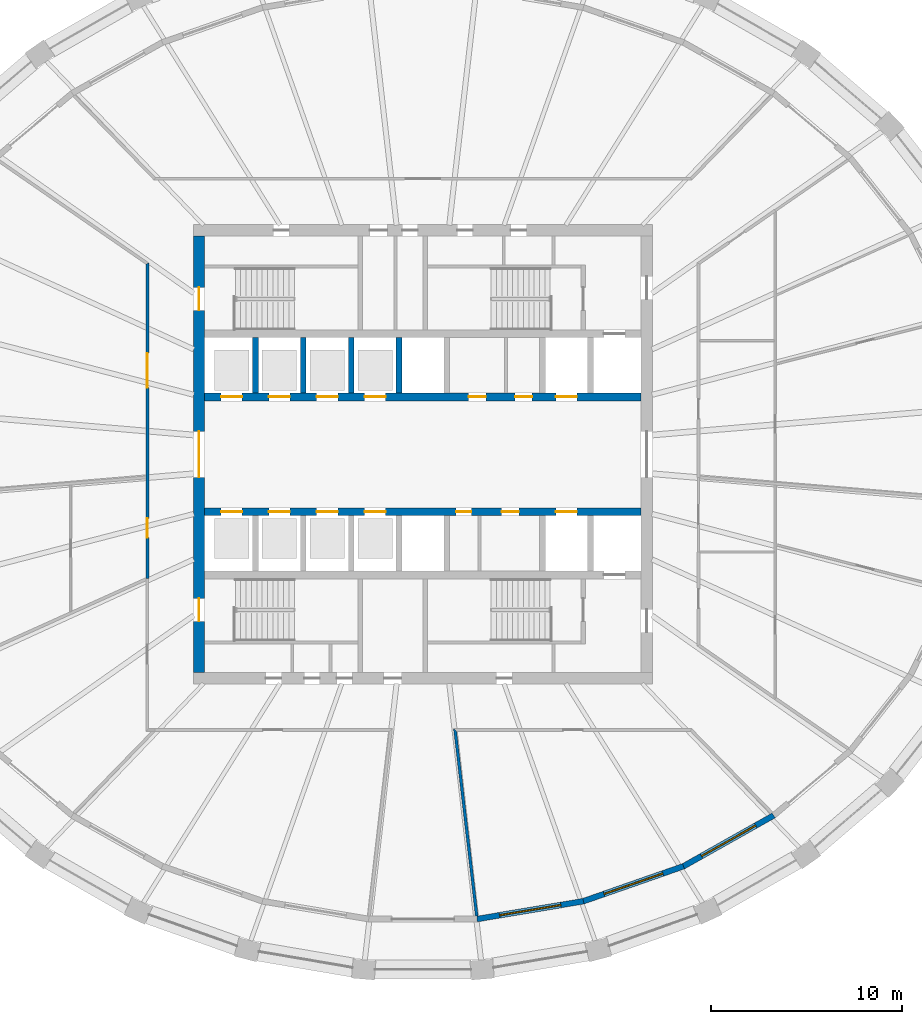
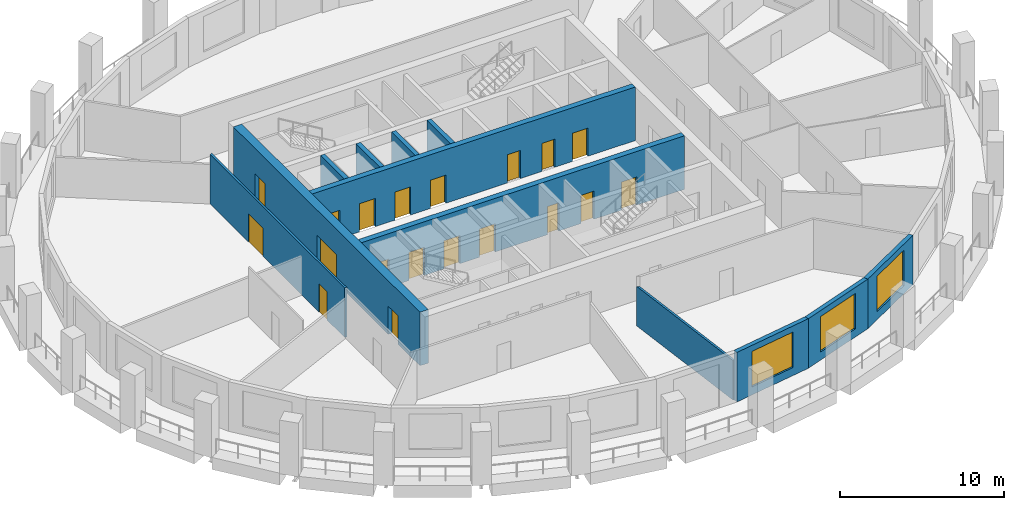
# One storey, part 4 of 11: 19 doors, 12 walls, 3 windows, 22 openings.
"""IFC4 building model written with IfcOpenShell, lengths in metres."""

from ifc_helpers import new_model, si_unit, direction, frame, frame_2d, origin, place, context, subcontext, project, spatial, polyline, rectangle, outline, extrude, material, layer, layer_set, type_object, element, fill, save


model = new_model("IFC4")

# Units and contexts
model_context = context("Model", 3, precision=1e-05, world=origin(), true_north=direction((0.0, 1.0)))
body_context = subcontext(model_context, "Body", "Model", "MODEL_VIEW")
ifc_project = project(units=[si_unit("LENGTHUNIT", "METRE"), si_unit("AREAUNIT", "SQUARE_METRE"), si_unit("VOLUMEUNIT", "CUBIC_METRE"), si_unit("PLANEANGLEUNIT", "RADIAN"), si_unit("MASSUNIT", "GRAM", prefix="KILO")], contexts=[model_context])

# Site, building, storey
site_placement = place(None, origin())
site = spatial("IfcSite", under=ifc_project, at=site_placement, CompositionType="ELEMENT")
building_placement = place(site_placement, origin())
building = spatial("IfcBuilding", under=site, at=building_placement, Name="Halqa Exchange Tower", CompositionType="ELEMENT")
storey_placement = place(building_placement, frame((0.0, 0.0, 230.89990234375)))
storey = spatial("IfcBuildingStorey", under=building, at=storey_placement, Name="L53", CompositionType="ELEMENT", Elevation=230.89990234375)

# Wall, openings, doors
ifc_material_1 = material(Name="Fire-rated gypsum board")
ifc_layer_1 = layer(ifc_material_1, 0.14990234375)
ifc_layer_set_1 = layer_set([ifc_layer_1], Name="Fire-rated gypsum board")
wall_type_1 = type_object("IfcWallType", Name="Fire partition EI 60 150", PredefinedType="PARTITIONING", material=ifc_layer_set_1)
wall_1_placement = place(storey_placement, frame((-14.39990234375, -6.489990234375, 0.0), z_axis=(0.0, 0.0, 1.0), x_axis=(0.0, 1.0, 0.0)))
wall_1 = element("IfcWall", 1, at=wall_1_placement, inside=storey, type_object=wall_type_1, Name="L53-PWL-006", PredefinedType="PARTITIONING", context=body_context, shape_type="SweptSolid", body=[
    extrude(outline(polyline([(16.499267578125, -0.074951171875), (16.499267578125, -0.07470703125), (16.420654296875, 0.074951171875), (14.59619140625, 0.074951171875), (12.771728515625, 0.074951171875), (10.947265625, 0.074951171875), (9.12255859375, 0.074951171875), (7.298095703125, 0.074951171875), (5.4736328125, 0.074951171875), (3.649169921875, 0.074951171875), (1.824462890625, 0.074951171875), (0.0, 0.074951171875), (0.0, -0.074951171875), (1.833251953125, -0.074951171875), (3.66650390625, -0.074951171875), (5.499755859375, -0.074951171875), (7.3330078125, -0.074951171875), (9.166259765625, -0.074951171875), (10.99951171875, -0.074951171875), (12.832763671875, -0.074951171875), (14.666015625, -0.074951171875), (16.499267578125, -0.074951171875)])), origin(), (0.0, 0.0, 1.0), 3.7001953125),
])
opening_1_placement = place(wall_1_placement, frame((9.97509765625, 0.0, 0.0)))
opening_1 = element("IfcOpeningElement", 2, at=opening_1_placement, cuts=wall_1, Name="Opening 16-02", PredefinedType="OPENING", context=body_context, shape_type="SweptSolid", body=[
    extrude(rectangle(XDim=1.800048828125, YDim=2.10009765625, at=frame_2d((0.89990234375, 1.050048828125))), frame((0.0, 0.0869140625, 0.0), z_axis=(0.0, -1.0, 0.0), x_axis=(1.0, 0.0, 0.0)), (0.0, 0.0, 1.0), 0.173828125),
])
opening_2_placement = place(wall_1_placement, frame((2.14501953125, 0.0, 0.0)))
opening_2 = element("IfcOpeningElement", 3, at=opening_2_placement, cuts=wall_1, Name="Opening 16-03", PredefinedType="OPENING", context=body_context, shape_type="SweptSolid", body=[
    extrude(rectangle(XDim=1.0, YDim=2.10009765625, at=frame_2d((0.5, 1.050048828125))), frame((0.0, 0.0869140625, 0.0), z_axis=(0.0, -1.0, 0.0), x_axis=(1.0, 0.0, 0.0)), (0.0, 0.0, 1.0), 0.173828125),
])
ifc_material_2 = material(Name="Steel fire door leaf", Category="steel")
door_type_1 = type_object("IfcDoorType", Name="Fire door FD30S 1000 x 2100", OperationType="SINGLE_SWING_LEFT", PredefinedType="DOOR", material=ifc_material_2)
door_1_placement = place(opening_2_placement, origin())
door_1 = element("IfcDoor", 4, at=door_1_placement, inside=storey, type_object=door_type_1, Name="L53-IDR-003", OperationType="SINGLE_SWING_RIGHT", OverallHeight=2.10009765625, OverallWidth=1.0, PredefinedType="DOOR", context=body_context, shape_type="SweptSolid", body=[
    extrude(rectangle(XDim=1.0, YDim=2.10009765625, at=frame_2d((0.5, 1.050048828125))), frame((0.0, 0.02490234375, 0.0), z_axis=(0.0, -1.0, 0.0), x_axis=(1.0, 0.0, 0.0)), (0.0, 0.0, 1.0), 0.050048828125),
])
fill(opening_2, door_1)
door_type_2 = type_object("IfcDoorType", Name="Fire door FD30S double 1800 x 2100", OperationType="DOUBLE_DOOR_SINGLE_SWING", PredefinedType="DOOR", material=ifc_material_2)
door_2_placement = place(opening_1_placement, origin())
door_2 = element("IfcDoor", 5, at=door_2_placement, inside=storey, type_object=door_type_2, Name="L53-IDR-002", OperationType="DOUBLE_DOOR_SINGLE_SWING", OverallHeight=2.10009765625, OverallWidth=1.800048828125, PredefinedType="DOOR", context=body_context, shape_type="SweptSolid", body=[
    extrude(rectangle(XDim=1.800048828125, YDim=2.10009765625, at=frame_2d((0.89990234375, 1.050048828125))), frame((0.0, 0.02490234375, 0.0), z_axis=(0.0, -1.0, 0.0), x_axis=(1.0, 0.0, 0.0)), (0.0, 0.0, 1.0), 0.050048828125),
])
fill(opening_1, door_2)

# Walls
wall_2_placement = place(storey_placement, frame((1.670166015625, -14.31640625, 0.0), z_axis=(0.0, 0.0, 1.0), x_axis=(0.115875821394, -0.993263708195, 0.0)))
element("IfcWall", 6, at=wall_2_placement, inside=storey, type_object=wall_type_1, Name="L53-PWL-013", PredefinedType="PARTITIONING", context=body_context, shape_type="SweptSolid", body=[
    extrude(outline(polyline([(0.0, -0.074951171875), (1.973876953125, -0.074951171875), (3.947998046875, -0.074951171875), (5.921875, -0.074951171875), (7.895751953125, -0.074951171875), (9.869873046875, -0.074951171875), (9.875, -0.0302734375), (9.875, 0.074951171875), (7.93359375, 0.074951171875), (5.992431640625, 0.074951171875), (4.051025390625, 0.074951171875), (2.109619140625, 0.074951171875), (0.168212890625, 0.074951171875), (0.084228515625, 0.0), (0.0, -0.074951171875), (0.0, -0.074951171875)])), origin(), (0.0, 0.0, 1.0), 2.947021484375),
])
ifc_material_3 = material(Name="Concrete C60/75", Category="concrete")
ifc_layer_2 = layer(ifc_material_3, 0.300048828125)
ifc_layer_set_2 = layer_set([ifc_layer_2], Name="Concrete C60/75")
wall_type_2 = type_object("IfcWallType", Name="RC core wall 300", PredefinedType="SHEAR", material=ifc_layer_set_2)
for number, where, z_axis, x_axis, name in (
    (7, (-8.75, 3.199951171875, 0.0), (0.0, 0.0, 1.0), (0.0, 1.0, 0.0), "Shaft divider N1"),
    (8, (-6.25, 3.199951171875, 0.0), (0.0, 0.0, 1.0), (0.0, 1.0, 0.0), "Shaft divider N2"),
    (9, (-3.75, 3.199951171875, 0.0), (0.0, 0.0, 1.0), (0.0, 1.0, 0.0), "Shaft divider N3"),
    (10, (-1.25, 3.199951171875, 0.0), (0.0, 0.0, 1.0), (0.0, 1.0, 0.0), "Shaft divider N4"),
):
    element("IfcWall", number, at=place(storey_placement, frame(where, z_axis=z_axis, x_axis=x_axis)), inside=storey, type_object=wall_type_2, Name=name, PredefinedType="SHEAR", context=body_context, shape_type="SweptSolid", body=[
        extrude(rectangle(XDim=2.900146484375, YDim=0.300048828125, at=frame_2d((1.4501953125, 0.0))), origin(), (0.0, 0.0, 1.0), 4.0),
    ])

# Wall, openings, doors
ifc_material_4 = material(Name="Concrete C70/85", Category="concrete")
ifc_layer_3 = layer(ifc_material_4, 0.39990234375)
ifc_layer_set_3 = layer_set([ifc_layer_3], Name="Concrete C70/85")
wall_type_3 = type_object("IfcWallType", Name="RC core wall 400 C70/85", PredefinedType="SHEAR", material=ifc_layer_set_3)
wall_3_placement = place(storey_placement, frame((-11.39990234375, 3.0, 0.0), z_axis=(0.0, 0.0, 1.0), x_axis=(1.0, 0.0, 0.0)))
wall_3 = element("IfcWall", 11, at=wall_3_placement, inside=storey, type_object=wall_type_3, Name="Lift row front wall N", PredefinedType="SHEAR", context=body_context, shape_type="SweptSolid", body=[
    extrude(rectangle(XDim=22.7998046875, YDim=0.39990234375, at=frame_2d((11.39990234375, 0.0))), origin(), (0.0, 0.0, 1.0), 4.0),
])
opening_3_placement = place(wall_3_placement, frame((0.85009765625, 0.0, 0.0)))
opening_3 = element("IfcOpeningElement", 12, at=opening_3_placement, cuts=wall_3, Name="Opening LD-HR1-T16", PredefinedType="OPENING", context=body_context, shape_type="SweptSolid", body=[
    extrude(rectangle(XDim=1.10009765625, YDim=2.10009765625, at=frame_2d((0.550048828125, 1.050048828125))), frame((0.0, 0.2119140625, 0.0), z_axis=(0.0, -1.0, 0.0), x_axis=(1.0, 0.0, 0.0)), (0.0, 0.0, 1.0), 0.423828125),
])
opening_4_placement = place(wall_3_placement, frame((3.35009765625, 0.0, 0.0)))
opening_4 = element("IfcOpeningElement", 13, at=opening_4_placement, cuts=wall_3, Name="Opening LD-HR2-T16", PredefinedType="OPENING", context=body_context, shape_type="SweptSolid", body=[
    extrude(rectangle(XDim=1.10009765625, YDim=2.10009765625, at=frame_2d((0.550048828125, 1.050048828125))), frame((0.0, 0.2119140625, 0.0), z_axis=(0.0, -1.0, 0.0), x_axis=(1.0, 0.0, 0.0)), (0.0, 0.0, 1.0), 0.423828125),
])
opening_5_placement = place(wall_3_placement, frame((5.85009765625, 0.0, 0.0)))
opening_5 = element("IfcOpeningElement", 14, at=opening_5_placement, cuts=wall_3, Name="Opening LD-MR1-T16", PredefinedType="OPENING", context=body_context, shape_type="SweptSolid", body=[
    extrude(rectangle(XDim=1.10009765625, YDim=2.10009765625, at=frame_2d((0.550048828125, 1.050048828125))), frame((0.0, 0.2119140625, 0.0), z_axis=(0.0, -1.0, 0.0), x_axis=(1.0, 0.0, 0.0)), (0.0, 0.0, 1.0), 0.423828125),
])
opening_6_placement = place(wall_3_placement, frame((8.35009765625, 0.0, 0.0)))
opening_6 = element("IfcOpeningElement", 15, at=opening_6_placement, cuts=wall_3, Name="Opening LD-MR2-T16", PredefinedType="OPENING", context=body_context, shape_type="SweptSolid", body=[
    extrude(rectangle(XDim=1.10009765625, YDim=2.10009765625, at=frame_2d((0.550048828125, 1.050048828125))), frame((0.0, 0.2119140625, 0.0), z_axis=(0.0, -1.0, 0.0), x_axis=(1.0, 0.0, 0.0)), (0.0, 0.0, 1.0), 0.423828125),
])
opening_7_placement = place(wall_3_placement, frame((18.35009765625, 0.0, 0.0)))
opening_7 = element("IfcOpeningElement", 16, at=opening_7_placement, cuts=wall_3, Name="Opening LD-SV1-T16", PredefinedType="OPENING", context=body_context, shape_type="SweptSolid", body=[
    extrude(rectangle(XDim=1.10009765625, YDim=2.10009765625, at=frame_2d((0.550048828125, 1.050048828125))), frame((0.0, 0.2119140625, 0.0), z_axis=(0.0, -1.0, 0.0), x_axis=(1.0, 0.0, 0.0)), (0.0, 0.0, 1.0), 0.423828125),
])
opening_8_placement = place(wall_3_placement, frame((13.78759765625, 0.0, 0.0)))
opening_8 = element("IfcOpeningElement", 17, at=opening_8_placement, cuts=wall_3, Name="Opening T16-C31", PredefinedType="OPENING", context=body_context, shape_type="SweptSolid", body=[
    extrude(rectangle(XDim=0.89990234375, YDim=2.10009765625, at=frame_2d((0.449951171875, 1.050048828125))), frame((0.0, 0.2119140625, 0.0), z_axis=(0.0, -1.0, 0.0), x_axis=(1.0, 0.0, 0.0)), (0.0, 0.0, 1.0), 0.423828125),
])
opening_9_placement = place(wall_3_placement, frame((16.21240234375, 0.0, 0.0)))
opening_9 = element("IfcOpeningElement", 18, at=opening_9_placement, cuts=wall_3, Name="Opening T16-C32", PredefinedType="OPENING", context=body_context, shape_type="SweptSolid", body=[
    extrude(rectangle(XDim=0.89990234375, YDim=2.10009765625, at=frame_2d((0.449951171875, 1.050048828125))), frame((0.0, 0.2119140625, 0.0), z_axis=(0.0, -1.0, 0.0), x_axis=(1.0, 0.0, 0.0)), (0.0, 0.0, 1.0), 0.423828125),
])
ifc_material_5 = material(Name="Timber fire door leaf", Category="wood")
door_type_3 = type_object("IfcDoorType", Name="Core room door FD30 900 x 2100", OperationType="SINGLE_SWING_LEFT", PredefinedType="DOOR", material=ifc_material_5)
door_3_placement = place(opening_8_placement, origin())
door_3 = element("IfcDoor", 19, at=door_3_placement, inside=storey, type_object=door_type_3, Name="Core room door", OperationType="SINGLE_SWING_RIGHT", OverallHeight=2.10009765625, OverallWidth=0.89990234375, PredefinedType="DOOR", context=body_context, shape_type="SweptSolid", body=[
    extrude(rectangle(XDim=0.89990234375, YDim=2.10009765625, at=frame_2d((0.449951171875, 1.050048828125))), frame((0.0, 0.02490234375, 0.0), z_axis=(0.0, -1.0, 0.0), x_axis=(1.0, 0.0, 0.0)), (0.0, 0.0, 1.0), 0.050048828125),
])
fill(opening_8, door_3)
door_4_placement = place(opening_9_placement, origin())
door_4 = element("IfcDoor", 20, at=door_4_placement, inside=storey, type_object=door_type_3, Name="Core room door", OperationType="SINGLE_SWING_RIGHT", OverallHeight=2.10009765625, OverallWidth=0.89990234375, PredefinedType="DOOR", context=body_context, shape_type="SweptSolid", body=[
    extrude(rectangle(XDim=0.89990234375, YDim=2.10009765625, at=frame_2d((0.449951171875, 1.050048828125))), frame((0.0, 0.02490234375, 0.0), z_axis=(0.0, -1.0, 0.0), x_axis=(1.0, 0.0, 0.0)), (0.0, 0.0, 1.0), 0.050048828125),
])
fill(opening_9, door_4)
ifc_material_6 = material(Name="Stainless steel", Category="steel")
door_type_4 = type_object("IfcDoorType", Name="Lift landing door 1100 x 2100", OperationType="SLIDING_TO_LEFT", PredefinedType="DOOR", material=ifc_material_6)
door_5_placement = place(opening_3_placement, origin())
door_5 = element("IfcDoor", 21, at=door_5_placement, inside=storey, type_object=door_type_4, Name="Lift landing door HR1", OperationType="SLIDING_TO_LEFT", OverallHeight=2.10009765625, OverallWidth=1.10009765625, PredefinedType="DOOR", context=body_context, shape_type="SweptSolid", body=[
    extrude(rectangle(XDim=1.10009765625, YDim=2.10009765625, at=frame_2d((0.550048828125, 1.050048828125))), frame((0.0, 0.02490234375, 0.0), z_axis=(0.0, -1.0, 0.0), x_axis=(1.0, 0.0, 0.0)), (0.0, 0.0, 1.0), 0.050048828125),
])
fill(opening_3, door_5)
door_6_placement = place(opening_4_placement, origin())
door_6 = element("IfcDoor", 22, at=door_6_placement, inside=storey, type_object=door_type_4, Name="Lift landing door HR2", OperationType="SLIDING_TO_LEFT", OverallHeight=2.10009765625, OverallWidth=1.10009765625, PredefinedType="DOOR", context=body_context, shape_type="SweptSolid", body=[
    extrude(rectangle(XDim=1.10009765625, YDim=2.10009765625, at=frame_2d((0.550048828125, 1.050048828125))), frame((0.0, 0.02490234375, 0.0), z_axis=(0.0, -1.0, 0.0), x_axis=(1.0, 0.0, 0.0)), (0.0, 0.0, 1.0), 0.050048828125),
])
fill(opening_4, door_6)
door_7_placement = place(opening_5_placement, origin())
door_7 = element("IfcDoor", 23, at=door_7_placement, inside=storey, type_object=door_type_4, Name="Lift landing door MR1", OperationType="SLIDING_TO_LEFT", OverallHeight=2.10009765625, OverallWidth=1.10009765625, PredefinedType="DOOR", context=body_context, shape_type="SweptSolid", body=[
    extrude(rectangle(XDim=1.10009765625, YDim=2.10009765625, at=frame_2d((0.550048828125, 1.050048828125))), frame((0.0, 0.02490234375, 0.0), z_axis=(0.0, -1.0, 0.0), x_axis=(1.0, 0.0, 0.0)), (0.0, 0.0, 1.0), 0.050048828125),
])
fill(opening_5, door_7)
door_8_placement = place(opening_6_placement, origin())
door_8 = element("IfcDoor", 24, at=door_8_placement, inside=storey, type_object=door_type_4, Name="Lift landing door MR2", OperationType="SLIDING_TO_LEFT", OverallHeight=2.10009765625, OverallWidth=1.10009765625, PredefinedType="DOOR", context=body_context, shape_type="SweptSolid", body=[
    extrude(rectangle(XDim=1.10009765625, YDim=2.10009765625, at=frame_2d((0.550048828125, 1.050048828125))), frame((0.0, 0.02490234375, 0.0), z_axis=(0.0, -1.0, 0.0), x_axis=(1.0, 0.0, 0.0)), (0.0, 0.0, 1.0), 0.050048828125),
])
fill(opening_6, door_8)
door_9_placement = place(opening_7_placement, origin())
door_9 = element("IfcDoor", 25, at=door_9_placement, inside=storey, type_object=door_type_4, Name="Lift landing door SV1", OperationType="SLIDING_TO_LEFT", OverallHeight=2.10009765625, OverallWidth=1.10009765625, PredefinedType="DOOR", context=body_context, shape_type="SweptSolid", body=[
    extrude(rectangle(XDim=1.10009765625, YDim=2.10009765625, at=frame_2d((0.550048828125, 1.050048828125))), frame((0.0, 0.02490234375, 0.0), z_axis=(0.0, -1.0, 0.0), x_axis=(1.0, 0.0, 0.0)), (0.0, 0.0, 1.0), 0.050048828125),
])
fill(opening_7, door_9)

wall_4_placement = place(storey_placement, frame((-11.39990234375, -3.0, 0.0), z_axis=(0.0, 0.0, 1.0), x_axis=(1.0, 0.0, 0.0)))
wall_4 = element("IfcWall", 26, at=wall_4_placement, inside=storey, type_object=wall_type_3, Name="Lift row front wall S", PredefinedType="SHEAR", context=body_context, shape_type="SweptSolid", body=[
    extrude(rectangle(XDim=22.7998046875, YDim=0.39990234375, at=frame_2d((11.39990234375, 0.0))), origin(), (0.0, 0.0, 1.0), 4.0),
])
opening_10_placement = place(wall_4_placement, frame((0.85009765625, 0.0, 0.0)))
opening_10 = element("IfcOpeningElement", 27, at=opening_10_placement, cuts=wall_4, Name="Opening LD-HR3-T16", PredefinedType="OPENING", context=body_context, shape_type="SweptSolid", body=[
    extrude(rectangle(XDim=1.10009765625, YDim=2.10009765625, at=frame_2d((0.550048828125, 1.050048828125))), frame((0.0, 0.2119140625, 0.0), z_axis=(0.0, -1.0, 0.0), x_axis=(1.0, 0.0, 0.0)), (0.0, 0.0, 1.0), 0.423828125),
])
opening_11_placement = place(wall_4_placement, frame((3.35009765625, 0.0, 0.0)))
opening_11 = element("IfcOpeningElement", 28, at=opening_11_placement, cuts=wall_4, Name="Opening LD-HR4-T16", PredefinedType="OPENING", context=body_context, shape_type="SweptSolid", body=[
    extrude(rectangle(XDim=1.10009765625, YDim=2.10009765625, at=frame_2d((0.550048828125, 1.050048828125))), frame((0.0, 0.2119140625, 0.0), z_axis=(0.0, -1.0, 0.0), x_axis=(1.0, 0.0, 0.0)), (0.0, 0.0, 1.0), 0.423828125),
])
opening_12_placement = place(wall_4_placement, frame((5.85009765625, 0.0, 0.0)))
opening_12 = element("IfcOpeningElement", 29, at=opening_12_placement, cuts=wall_4, Name="Opening LD-MR3-T16", PredefinedType="OPENING", context=body_context, shape_type="SweptSolid", body=[
    extrude(rectangle(XDim=1.10009765625, YDim=2.10009765625, at=frame_2d((0.550048828125, 1.050048828125))), frame((0.0, 0.2119140625, 0.0), z_axis=(0.0, -1.0, 0.0), x_axis=(1.0, 0.0, 0.0)), (0.0, 0.0, 1.0), 0.423828125),
])
opening_13_placement = place(wall_4_placement, frame((8.35009765625, 0.0, 0.0)))
opening_13 = element("IfcOpeningElement", 30, at=opening_13_placement, cuts=wall_4, Name="Opening LD-MR4-T16", PredefinedType="OPENING", context=body_context, shape_type="SweptSolid", body=[
    extrude(rectangle(XDim=1.10009765625, YDim=2.10009765625, at=frame_2d((0.550048828125, 1.050048828125))), frame((0.0, 0.2119140625, 0.0), z_axis=(0.0, -1.0, 0.0), x_axis=(1.0, 0.0, 0.0)), (0.0, 0.0, 1.0), 0.423828125),
])
opening_14_placement = place(wall_4_placement, frame((18.35009765625, 0.0, 0.0)))
opening_14 = element("IfcOpeningElement", 31, at=opening_14_placement, cuts=wall_4, Name="Opening LD-SV2-T16", PredefinedType="OPENING", context=body_context, shape_type="SweptSolid", body=[
    extrude(rectangle(XDim=1.10009765625, YDim=2.10009765625, at=frame_2d((0.550048828125, 1.050048828125))), frame((0.0, 0.2119140625, 0.0), z_axis=(0.0, -1.0, 0.0), x_axis=(1.0, 0.0, 0.0)), (0.0, 0.0, 1.0), 0.423828125),
])
opening_15_placement = place(wall_4_placement, frame((13.137451171875, 0.0, 0.0)))
opening_15 = element("IfcOpeningElement", 32, at=opening_15_placement, cuts=wall_4, Name="Opening T16-C33", PredefinedType="OPENING", context=body_context, shape_type="SweptSolid", body=[
    extrude(rectangle(XDim=0.800048828125, YDim=2.10009765625, at=frame_2d((0.39990234375, 1.050048828125))), frame((0.0, 0.2119140625, 0.0), z_axis=(0.0, -1.0, 0.0), x_axis=(1.0, 0.0, 0.0)), (0.0, 0.0, 1.0), 0.423828125),
])
opening_16_placement = place(wall_4_placement, frame((15.512451171875, 0.0, 0.0)))
opening_16 = element("IfcOpeningElement", 33, at=opening_16_placement, cuts=wall_4, Name="Opening T16-C34", PredefinedType="OPENING", context=body_context, shape_type="SweptSolid", body=[
    extrude(rectangle(XDim=0.89990234375, YDim=2.10009765625, at=frame_2d((0.449951171875, 1.050048828125))), frame((0.0, 0.2119140625, 0.0), z_axis=(0.0, -1.0, 0.0), x_axis=(1.0, 0.0, 0.0)), (0.0, 0.0, 1.0), 0.423828125),
])
door_10_placement = place(opening_16_placement, frame((0.89990234375, 0.0, 0.0), z_axis=(0.0, 0.0, 1.0), x_axis=(-1.0, 0.0, 0.0)))
door_10 = element("IfcDoor", 34, at=door_10_placement, inside=storey, type_object=door_type_3, Name="Core room door", OperationType="SINGLE_SWING_RIGHT", OverallHeight=2.10009765625, OverallWidth=0.89990234375, PredefinedType="DOOR", context=body_context, shape_type="SweptSolid", body=[
    extrude(rectangle(XDim=0.89990234375, YDim=2.10009765625, at=frame_2d((0.449951171875, 1.050048828125))), frame((0.0, 0.02490234375, 0.0), z_axis=(0.0, -1.0, 0.0), x_axis=(1.0, 0.0, 0.0)), (0.0, 0.0, 1.0), 0.050048828125),
])
fill(opening_16, door_10)
door_11_placement = place(opening_10_placement, origin())
door_11 = element("IfcDoor", 35, at=door_11_placement, inside=storey, type_object=door_type_4, Name="Lift landing door HR3", OperationType="SLIDING_TO_LEFT", OverallHeight=2.10009765625, OverallWidth=1.10009765625, PredefinedType="DOOR", context=body_context, shape_type="SweptSolid", body=[
    extrude(rectangle(XDim=1.10009765625, YDim=2.10009765625, at=frame_2d((0.550048828125, 1.050048828125))), frame((0.0, 0.02490234375, 0.0), z_axis=(0.0, -1.0, 0.0), x_axis=(1.0, 0.0, 0.0)), (0.0, 0.0, 1.0), 0.050048828125),
])
fill(opening_10, door_11)
door_12_placement = place(opening_11_placement, origin())
door_12 = element("IfcDoor", 36, at=door_12_placement, inside=storey, type_object=door_type_4, Name="Lift landing door HR4", OperationType="SLIDING_TO_LEFT", OverallHeight=2.10009765625, OverallWidth=1.10009765625, PredefinedType="DOOR", context=body_context, shape_type="SweptSolid", body=[
    extrude(rectangle(XDim=1.10009765625, YDim=2.10009765625, at=frame_2d((0.550048828125, 1.050048828125))), frame((0.0, 0.02490234375, 0.0), z_axis=(0.0, -1.0, 0.0), x_axis=(1.0, 0.0, 0.0)), (0.0, 0.0, 1.0), 0.050048828125),
])
fill(opening_11, door_12)
door_13_placement = place(opening_12_placement, origin())
door_13 = element("IfcDoor", 37, at=door_13_placement, inside=storey, type_object=door_type_4, Name="Lift landing door MR3", OperationType="SLIDING_TO_LEFT", OverallHeight=2.10009765625, OverallWidth=1.10009765625, PredefinedType="DOOR", context=body_context, shape_type="SweptSolid", body=[
    extrude(rectangle(XDim=1.10009765625, YDim=2.10009765625, at=frame_2d((0.550048828125, 1.050048828125))), frame((0.0, 0.02490234375, 0.0), z_axis=(0.0, -1.0, 0.0), x_axis=(1.0, 0.0, 0.0)), (0.0, 0.0, 1.0), 0.050048828125),
])
fill(opening_12, door_13)
door_14_placement = place(opening_13_placement, origin())
door_14 = element("IfcDoor", 38, at=door_14_placement, inside=storey, type_object=door_type_4, Name="Lift landing door MR4", OperationType="SLIDING_TO_LEFT", OverallHeight=2.10009765625, OverallWidth=1.10009765625, PredefinedType="DOOR", context=body_context, shape_type="SweptSolid", body=[
    extrude(rectangle(XDim=1.10009765625, YDim=2.10009765625, at=frame_2d((0.550048828125, 1.050048828125))), frame((0.0, 0.02490234375, 0.0), z_axis=(0.0, -1.0, 0.0), x_axis=(1.0, 0.0, 0.0)), (0.0, 0.0, 1.0), 0.050048828125),
])
fill(opening_13, door_14)
door_15_placement = place(opening_14_placement, origin())
door_15 = element("IfcDoor", 39, at=door_15_placement, inside=storey, type_object=door_type_4, Name="Lift landing door SV2", OperationType="SLIDING_TO_LEFT", OverallHeight=2.10009765625, OverallWidth=1.10009765625, PredefinedType="DOOR", context=body_context, shape_type="SweptSolid", body=[
    extrude(rectangle(XDim=1.10009765625, YDim=2.10009765625, at=frame_2d((0.550048828125, 1.050048828125))), frame((0.0, 0.02490234375, 0.0), z_axis=(0.0, -1.0, 0.0), x_axis=(1.0, 0.0, 0.0)), (0.0, 0.0, 1.0), 0.050048828125),
])
fill(opening_14, door_15)
door_type_5 = type_object("IfcDoorType", Name="Riser door FD60 800 x 2100", OperationType="SINGLE_SWING_LEFT", PredefinedType="DOOR", material=ifc_material_2)
door_16_placement = place(opening_15_placement, frame((0.800048828125, 0.0, 0.0), z_axis=(0.0, 0.0, 1.0), x_axis=(-1.0, 0.0, 0.0)))
door_16 = element("IfcDoor", 40, at=door_16_placement, inside=storey, type_object=door_type_5, Name="Core room door", OperationType="SINGLE_SWING_LEFT", OverallHeight=2.10009765625, OverallWidth=0.800048828125, PredefinedType="DOOR", context=body_context, shape_type="SweptSolid", body=[
    extrude(rectangle(XDim=0.800048828125, YDim=2.10009765625, at=frame_2d((0.39990234375, 1.050048828125))), frame((0.0, 0.02490234375, 0.0), z_axis=(0.0, -1.0, 0.0), x_axis=(1.0, 0.0, 0.0)), (0.0, 0.0, 1.0), 0.050048828125),
])
fill(opening_15, door_16)

ifc_layer_4 = layer(ifc_material_4, 0.60009765625)
ifc_layer_set_4 = layer_set([ifc_layer_4], Name="Concrete C70/85")
wall_type_4 = type_object("IfcWallType", Name="RC core wall 600 C70/85", PredefinedType="SHEAR", material=ifc_layer_set_4)
wall_5_placement = place(storey_placement, frame((-11.699951171875, -11.39990234375, 0.0), z_axis=(0.0, 0.0, 1.0), x_axis=(0.0, 1.0, 0.0)))
wall_5 = element("IfcWall", 41, at=wall_5_placement, inside=storey, type_object=wall_type_4, Name="Core wall west", PredefinedType="SHEAR", context=body_context, shape_type="SweptSolid", body=[
    extrude(rectangle(XDim=22.7998046875, YDim=0.60009765625, at=frame_2d((11.39990234375, 0.0))), origin(), (0.0, 0.0, 1.0), 4.0),
])
opening_17_placement = place(wall_5_placement, frame((10.199951171875, 0.0, 0.0)))
opening_17 = element("IfcOpeningElement", 42, at=opening_17_placement, cuts=wall_5, Name="Opening T16-C13", PredefinedType="OPENING", context=body_context, shape_type="SweptSolid", body=[
    extrude(rectangle(XDim=2.39990234375, YDim=2.10009765625, at=frame_2d((1.199951171875, 1.050048828125))), frame((0.0, 0.31201171875, 0.0), z_axis=(0.0, -1.0, 0.0), x_axis=(1.0, 0.0, 0.0)), (0.0, 0.0, 1.0), 0.6240234375),
])
opening_18_placement = place(wall_5_placement, frame((18.925048828125, 0.0, 0.0)))
opening_18 = element("IfcOpeningElement", 43, at=opening_18_placement, cuts=wall_5, Name="Opening T16-C15", PredefinedType="OPENING", context=body_context, shape_type="SweptSolid", body=[
    extrude(rectangle(XDim=1.199951171875, YDim=2.10009765625, at=frame_2d((0.60009765625, 1.050048828125))), frame((0.0, 0.31201171875, 0.0), z_axis=(0.0, -1.0, 0.0), x_axis=(1.0, 0.0, 0.0)), (0.0, 0.0, 1.0), 0.6240234375),
])
opening_19_placement = place(wall_5_placement, frame((2.675048828125, 0.0, 0.0)))
opening_19 = element("IfcOpeningElement", 44, at=opening_19_placement, cuts=wall_5, Name="Opening T16-C17", PredefinedType="OPENING", context=body_context, shape_type="SweptSolid", body=[
    extrude(rectangle(XDim=1.199951171875, YDim=2.10009765625, at=frame_2d((0.60009765625, 1.050048828125))), frame((0.0, 0.31201171875, 0.0), z_axis=(0.0, -1.0, 0.0), x_axis=(1.0, 0.0, 0.0)), (0.0, 0.0, 1.0), 0.6240234375),
])
door_type_6 = type_object("IfcDoorType", Name="Lobby double door FD60 2400 x 2100", OperationType="DOUBLE_DOOR_SINGLE_SWING", PredefinedType="DOOR", material=ifc_material_2)
door_17_placement = place(opening_17_placement, frame((2.39990234375, 0.0, 0.0), z_axis=(0.0, 0.0, 1.0), x_axis=(-1.0, 0.0, 0.0)))
door_17 = element("IfcDoor", 45, at=door_17_placement, inside=storey, type_object=door_type_6, Name="Lift lobby double door", OperationType="DOUBLE_DOOR_SINGLE_SWING", OverallHeight=2.10009765625, OverallWidth=2.39990234375, PredefinedType="DOOR", context=body_context, shape_type="SweptSolid", body=[
    extrude(rectangle(XDim=2.39990234375, YDim=2.10009765625, at=frame_2d((1.199951171875, 1.050048828125))), frame((0.0, 0.02490234375, 0.0), z_axis=(0.0, -1.0, 0.0), x_axis=(1.0, 0.0, 0.0)), (0.0, 0.0, 1.0), 0.050048828125),
])
fill(opening_17, door_17)
door_type_7 = type_object("IfcDoorType", Name="Stair door FD90 1200 x 2100", OperationType="SINGLE_SWING_LEFT", PredefinedType="DOOR", material=ifc_material_2)
door_18_placement = place(opening_18_placement, frame((1.199951171875, 0.0, 0.0), z_axis=(0.0, 0.0, 1.0), x_axis=(-1.0, 0.0, 0.0)))
door_18 = element("IfcDoor", 46, at=door_18_placement, inside=storey, type_object=door_type_7, Name="Stair door ST1", OperationType="SINGLE_SWING_RIGHT", OverallHeight=2.10009765625, OverallWidth=1.199951171875, PredefinedType="DOOR", context=body_context, shape_type="SweptSolid", body=[
    extrude(rectangle(XDim=1.199951171875, YDim=2.10009765625, at=frame_2d((0.60009765625, 1.050048828125))), frame((0.0, 0.02490234375, 0.0), z_axis=(0.0, -1.0, 0.0), x_axis=(1.0, 0.0, 0.0)), (0.0, 0.0, 1.0), 0.050048828125),
])
fill(opening_18, door_18)
door_19_placement = place(opening_19_placement, frame((1.199951171875, 0.0, 0.0), z_axis=(0.0, 0.0, 1.0), x_axis=(-1.0, 0.0, 0.0)))
door_19 = element("IfcDoor", 47, at=door_19_placement, inside=storey, type_object=door_type_7, Name="Stair door ST3", OperationType="SINGLE_SWING_RIGHT", OverallHeight=2.10009765625, OverallWidth=1.199951171875, PredefinedType="DOOR", context=body_context, shape_type="SweptSolid", body=[
    extrude(rectangle(XDim=1.199951171875, YDim=2.10009765625, at=frame_2d((0.60009765625, 1.050048828125))), frame((0.0, 0.02490234375, 0.0), z_axis=(0.0, -1.0, 0.0), x_axis=(1.0, 0.0, 0.0)), (0.0, 0.0, 1.0), 0.050048828125),
])
fill(opening_19, door_19)

# Wall, opening, window
ifc_material_7 = material(Name="Limestone cladding", Category="masonry")
ifc_layer_5 = layer(ifc_material_7, 0.0400390625)
ifc_material_8 = material(Name="Ventilated cavity")
ifc_layer_6 = layer(ifc_material_8, 0.030029296875, ventilated=True)
ifc_material_9 = material(Name="Mineral wool insulation")
ifc_layer_7 = layer(ifc_material_9, 0.10009765625)
ifc_material_10 = material(Name="Concrete C30/37", Category="concrete")
ifc_layer_8 = layer(ifc_material_10, 0.10009765625)
ifc_material_11 = material(Name="Internal plaster")
ifc_layer_9 = layer(ifc_material_11, 0.030029296875)
ifc_layer_set_5 = layer_set([ifc_layer_5, ifc_layer_6, ifc_layer_7, ifc_layer_8, ifc_layer_9], Name="Stone-faced insulated wall 300")
wall_type_5 = type_object("IfcWallType", Name="Stone-faced insulated wall 300", PredefinedType="STANDARD", material=ifc_layer_set_5)
wall_6_placement = place(storey_placement, frame((2.830810546875, -24.2783203125, 0.0), z_axis=(0.0, 0.0, 1.0), x_axis=(0.986223472554, 0.165418445715, 0.0)))
wall_6 = element("IfcWall", 48, at=wall_6_placement, inside=storey, type_object=wall_type_5, Name="Glass-line wall 25", PredefinedType="STANDARD", context=body_context, shape_type="SweptSolid", body=[
    extrude(outline(polyline([(-0.012451171875, -0.14990234375), (5.643310546875, -0.14990234375), (5.617919921875, 0.14990234375), (0.012451171875, 0.14990234375), (-0.012451171875, -0.14990234375)])), origin(), (0.0, 0.0, 1.0), 3.7001953125),
])
opening_20_placement = place(wall_6_placement, frame((1.190185546875, 0.0, 0.60009765625)))
opening_20 = element("IfcOpeningElement", 49, at=opening_20_placement, cuts=wall_6, Name="Opening W-F3-25", PredefinedType="OPENING", context=body_context, shape_type="SweptSolid", body=[
    extrude(rectangle(XDim=3.25, YDim=2.64990234375, at=frame_2d((1.625, 1.324951171875))), frame((0.0, 0.162109375, 0.0), z_axis=(0.0, -1.0, 0.0), x_axis=(1.0, 0.0, 0.0)), (0.0, 0.0, 1.0), 0.323974609375),
])
ifc_material_12 = material(Name="Clear low-emissivity glass in aluminium frame", Category="aluminium")
window_type = type_object("IfcWindowType", Name="Fixed clear glazed window 3250 x 2650", PartitioningType="TRIPLE_PANEL_VERTICAL", PredefinedType="WINDOW", material=ifc_material_12)
window_1_placement = place(opening_20_placement, origin())
window_1 = element("IfcWindow", 50, at=window_1_placement, inside=storey, type_object=window_type, Name="Window 3", OverallHeight=2.64990234375, OverallWidth=3.25, PartitioningType="TRIPLE_PANEL_VERTICAL", PredefinedType="WINDOW", context=body_context, shape_type="SweptSolid", body=[
    extrude(rectangle(XDim=3.25, YDim=2.64990234375, at=frame_2d((1.625, 1.324951171875))), frame((0.0, 0.030029296875, 0.0), z_axis=(0.0, -1.0, 0.0), x_axis=(1.0, 0.0, 0.0)), (0.0, 0.0, 1.0), 0.06005859375),
])
fill(opening_20, window_1)

wall_7_placement = place(storey_placement, frame((8.3837890625, -23.346923828125, 0.0), z_axis=(0.0, 0.0, 1.0), x_axis=(0.944075859918, 0.329728328659, 0.0)))
wall_7 = element("IfcWall", 51, at=wall_7_placement, inside=storey, type_object=wall_type_5, Name="Glass-line wall 26", PredefinedType="STANDARD", context=body_context, shape_type="SweptSolid", body=[
    extrude(outline(polyline([(-0.0126953125, -0.14990234375), (5.5556640625, -0.14990234375), (5.52880859375, 0.14990234375), (0.0126953125, 0.14990234375), (-0.0126953125, -0.14990234375)])), origin(), (0.0, 0.0, 1.0), 3.7001953125),
])
opening_21_placement = place(wall_7_placement, frame((1.14599609375, 0.0, 0.60009765625)))
opening_21 = element("IfcOpeningElement", 52, at=opening_21_placement, cuts=wall_7, Name="Opening W-F3-26", PredefinedType="OPENING", context=body_context, shape_type="SweptSolid", body=[
    extrude(rectangle(XDim=3.25, YDim=2.64990234375, at=frame_2d((1.625, 1.324951171875))), frame((0.0, 0.162109375, 0.0), z_axis=(0.0, -1.0, 0.0), x_axis=(1.0, 0.0, 0.0)), (0.0, 0.0, 1.0), 0.323974609375),
])
window_2_placement = place(opening_21_placement, origin())
window_2 = element("IfcWindow", 53, at=window_2_placement, inside=storey, type_object=window_type, Name="Window 3", OverallHeight=2.64990234375, OverallWidth=3.25, PartitioningType="TRIPLE_PANEL_VERTICAL", PredefinedType="WINDOW", context=body_context, shape_type="SweptSolid", body=[
    extrude(rectangle(XDim=3.25, YDim=2.64990234375, at=frame_2d((1.625, 1.324951171875))), frame((0.0, 0.030029296875, 0.0), z_axis=(0.0, -1.0, 0.0), x_axis=(1.0, 0.0, 0.0)), (0.0, 0.0, 1.0), 0.06005859375),
])
fill(opening_21, window_2)

wall_8_placement = place(storey_placement, frame((13.615966796875, -21.51953125, 0.0), z_axis=(0.0, 0.0, 1.0), x_axis=(0.871225596594, 0.490882837181, 0.0)))
wall_8 = element("IfcWall", 54, at=wall_8_placement, inside=storey, type_object=wall_type_5, Name="Glass-line wall 27", PredefinedType="STANDARD", context=body_context, shape_type="SweptSolid", body=[
    extrude(outline(polyline([(-0.013427734375, -0.14990234375), (5.4208984375, -0.14990234375), (5.392578125, 0.14990234375), (0.013427734375, 0.14990234375), (-0.013427734375, -0.14990234375)])), origin(), (0.0, 0.0, 1.0), 3.7001953125),
])
opening_22_placement = place(wall_8_placement, frame((1.078369140625, 0.0, 0.60009765625)))
opening_22 = element("IfcOpeningElement", 55, at=opening_22_placement, cuts=wall_8, Name="Opening W-F3-27", PredefinedType="OPENING", context=body_context, shape_type="SweptSolid", body=[
    extrude(rectangle(XDim=3.25, YDim=2.64990234375, at=frame_2d((1.625, 1.324951171875))), frame((0.0, 0.162109375, 0.0), z_axis=(0.0, -1.0, 0.0), x_axis=(1.0, 0.0, 0.0)), (0.0, 0.0, 1.0), 0.323974609375),
])
window_3_placement = place(opening_22_placement, origin())
window_3 = element("IfcWindow", 56, at=window_3_placement, inside=storey, type_object=window_type, Name="Window 3", OverallHeight=2.64990234375, OverallWidth=3.25, PartitioningType="TRIPLE_PANEL_VERTICAL", PredefinedType="WINDOW", context=body_context, shape_type="SweptSolid", body=[
    extrude(rectangle(XDim=3.25, YDim=2.64990234375, at=frame_2d((1.625, 1.324951171875))), frame((0.0, 0.030029296875, 0.0), z_axis=(0.0, -1.0, 0.0), x_axis=(1.0, 0.0, 0.0)), (0.0, 0.0, 1.0), 0.06005859375),
])
fill(opening_22, window_3)

save(model, "model.ifc")
